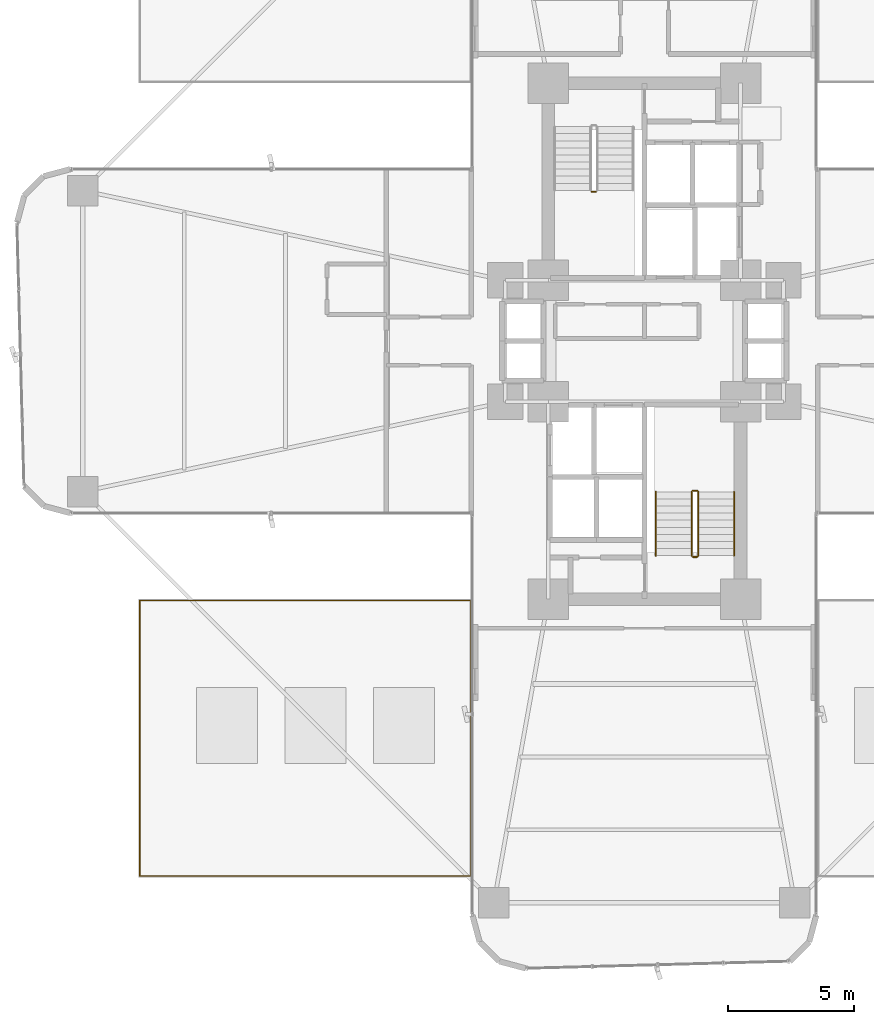
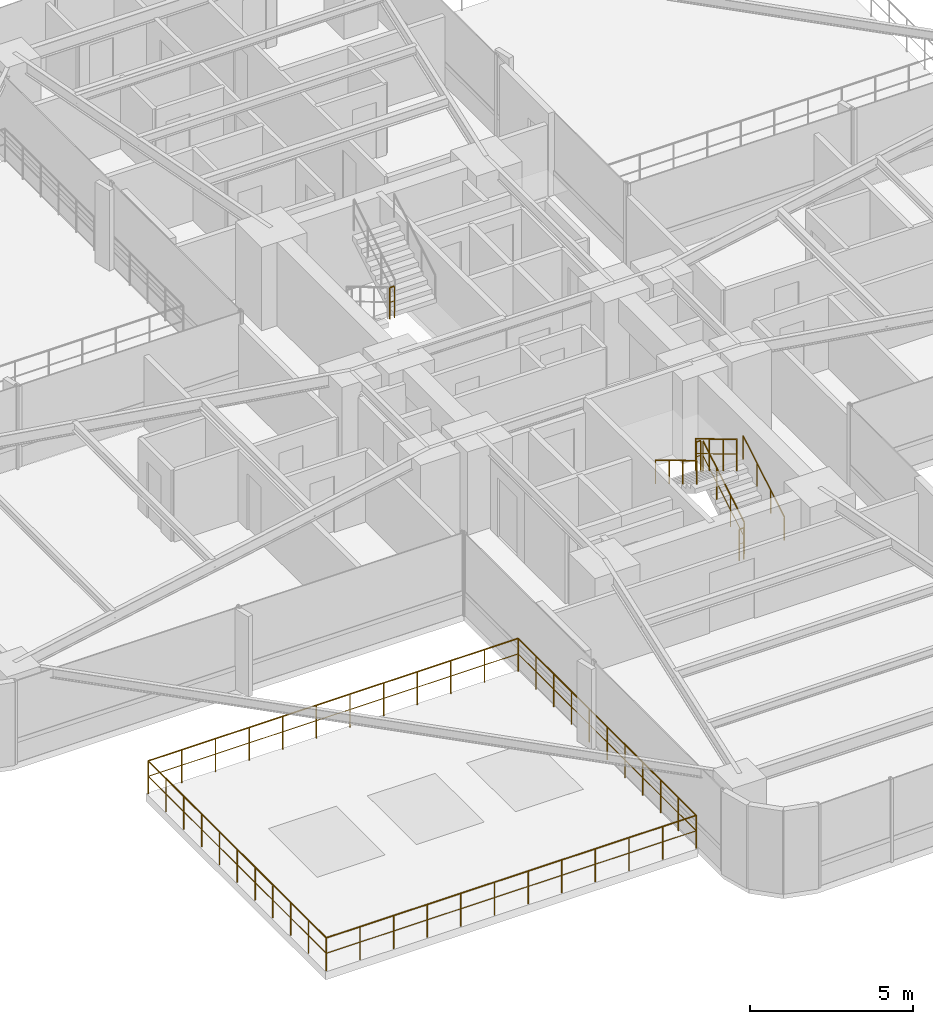
# One storey, part 25 of 27: 8 railings.
"""IFC4 building model written with IfcOpenShell, lengths in metres."""

from ifc_helpers import new_model, si_unit, direction, frame, origin, origin_2d, place, context, subcontext, project, spatial, circle, extrude, material, type_object, element, save


model = new_model("IFC4")

# Units and contexts
model_context = context("Model", 3, precision=1e-05, world=origin(), true_north=direction((0.0, 1.0)))
body_context = subcontext(model_context, "Body", "Model", "MODEL_VIEW")
ifc_project = project(units=[si_unit("LENGTHUNIT", "METRE"), si_unit("AREAUNIT", "SQUARE_METRE"), si_unit("VOLUMEUNIT", "CUBIC_METRE"), si_unit("PLANEANGLEUNIT", "RADIAN"), si_unit("MASSUNIT", "GRAM", prefix="KILO")], contexts=[model_context])

# Site, building, storey
site_placement = place(None, origin())
site = spatial("IfcSite", under=ifc_project, at=site_placement, CompositionType="ELEMENT")
building_placement = place(site_placement, origin())
building = spatial("IfcBuilding", under=site, at=building_placement, Name="Sahyath Konkavel Grand Hotel", CompositionType="ELEMENT")
storey_placement = place(building_placement, frame((0.0, 0.0, 23.10009765625)))
storey = spatial("IfcBuildingStorey", under=building, at=storey_placement, Name="L05", CompositionType="ELEMENT", Elevation=23.10009765625)

# Railings
ifc_material_1 = material(Name="Steel E350", Category="steel")
railing_type_1 = type_object("IfcRailingType", Name="RLG-STAIR-GRD", PredefinedType="GUARDRAIL", material=ifc_material_1)
railing_1_placement = place(storey_placement, frame((-2.080078125, 5.909912109375, 1.6748046875)))
element("IfcRailing", 1, at=railing_1_placement, inside=storey, type_object=railing_type_1, Name="L05 ST-1 stair guard 2", PredefinedType="GUARDRAIL", context=body_context, shape_type="SweptSolid", body=[
    extrude(circle(Radius=0.02392578125, at=origin_2d()), frame((0.001953125, 0.0, 1.17578125), z_axis=(1.0, 0.0, 0.0), x_axis=(0.0, 1.0, 0.0)), (0.0, 0.0, 1.0), 0.15625),
    extrude(circle(Radius=0.01416015625, at=origin_2d()), frame((0.001953125, 0.0, 0.6240234375), z_axis=(1.0, 0.0, 0.0), x_axis=(0.0, 1.0, 0.0)), (0.0, 0.0, 1.0), 0.15625),
    extrude(circle(Radius=0.02099609375, at=origin_2d()), origin(), (0.0, 0.0, 1.0), 1.15185546875),
    extrude(circle(Radius=0.02099609375, at=origin_2d()), frame((0.16015625, 0.0, 0.0)), (0.0, 0.0, 1.0), 1.15185546875),
])
railing_2_placement = place(storey_placement, frame((2.1298828125, -8.47998046875, 0.16748046875)))
element("IfcRailing", 2, at=railing_2_placement, inside=storey, type_object=railing_type_1, Name="L05 ST-2 stair guard 1", PredefinedType="GUARDRAIL", context=body_context, shape_type="SweptSolid", body=[
    extrude(circle(Radius=0.02392578125, at=origin_2d()), frame((0.0, 0.001708984375, 1.177001953125), z_axis=(0.0, 0.858196387827, 0.513321497621), x_axis=(-1.0, 0.0, 0.0)), (0.0, 0.0, 1.0), 2.932373046875),
    extrude(circle(Radius=0.01416015625, at=origin_2d()), frame((0.0, 0.001708984375, 0.625), z_axis=(0.0, 0.858196387827, 0.513321497621), x_axis=(-1.0, 0.0, 0.0)), (0.0, 0.0, 1.0), 2.932373046875),
    extrude(circle(Radius=0.02099609375, at=origin_2d()), origin(), (0.0, 0.0, 1.0), 1.15185546875),
    extrude(circle(Radius=0.02099609375, at=origin_2d()), frame((0.0, 0.840087890625, 0.50244140625)), (0.0, 0.0, 1.0), 1.15185546875),
    extrude(circle(Radius=0.02099609375, at=origin_2d()), frame((0.0, 1.679931640625, 1.0048828125)), (0.0, 0.0, 1.0), 1.15185546875),
    extrude(circle(Radius=0.02099609375, at=origin_2d()), frame((0.0, 2.52001953125, 1.50732421875)), (0.0, 0.0, 1.0), 1.15185546875),
])
railing_3_placement = place(storey_placement, frame((2.080078125, -5.909912109375, 1.6748046875)))
element("IfcRailing", 3, at=railing_3_placement, inside=storey, type_object=railing_type_1, Name="L05 ST-2 stair guard 2", PredefinedType="GUARDRAIL", context=body_context, shape_type="SweptSolid", body=[
    extrude(circle(Radius=0.02392578125, at=origin_2d()), frame((-0.001953125, 0.0, 1.17578125), z_axis=(-1.0, 0.0, 0.0), x_axis=(0.0, -1.0, 0.0)), (0.0, 0.0, 1.0), 0.15625),
    extrude(circle(Radius=0.01416015625, at=origin_2d()), frame((-0.001953125, 0.0, 0.6240234375), z_axis=(-1.0, 0.0, 0.0), x_axis=(0.0, -1.0, 0.0)), (0.0, 0.0, 1.0), 0.15625),
    extrude(circle(Radius=0.02099609375, at=origin_2d()), origin(), (0.0, 0.0, 1.0), 1.15185546875),
    extrude(circle(Radius=0.02099609375, at=origin_2d()), frame((-0.16015625, 0.0, 0.0)), (0.0, 0.0, 1.0), 1.15185546875),
])
railing_4_placement = place(storey_placement, frame((1.8701171875, -5.9599609375, 1.84228515625)))
element("IfcRailing", 4, at=railing_4_placement, inside=storey, type_object=railing_type_1, Name="L05 ST-2 stair guard 3", PredefinedType="GUARDRAIL", context=body_context, shape_type="SweptSolid", body=[
    extrude(circle(Radius=0.02392578125, at=origin_2d()), frame((0.0, -0.001708984375, 1.177001953125), z_axis=(0.0, -0.858159760407, 0.513382728203), x_axis=(1.0, 0.0, 0.0)), (0.0, 0.0, 1.0), 2.9326171875),
    extrude(circle(Radius=0.01416015625, at=origin_2d()), frame((0.0, -0.001708984375, 0.625), z_axis=(0.0, -0.858159760407, 0.513382728203), x_axis=(1.0, 0.0, 0.0)), (0.0, 0.0, 1.0), 2.9326171875),
    extrude(circle(Radius=0.02099609375, at=origin_2d()), origin(), (0.0, 0.0, 1.0), 1.15185546875),
    extrude(circle(Radius=0.02099609375, at=origin_2d()), frame((0.0, -0.840087890625, 0.50244140625)), (0.0, 0.0, 1.0), 1.15185546875),
    extrude(circle(Radius=0.02099609375, at=origin_2d()), frame((0.0, -1.679931640625, 1.005126953125)), (0.0, 0.0, 1.0), 1.15185546875),
    extrude(circle(Radius=0.02099609375, at=origin_2d()), frame((0.0, -2.52001953125, 1.507568359375)), (0.0, 0.0, 1.0), 1.15185546875),
])
railing_5_placement = place(storey_placement, frame((2.080078125, -8.530029296875, 0.0)))
element("IfcRailing", 5, at=railing_5_placement, inside=storey, type_object=railing_type_1, Name="L05 ST-2 stair guard 4", PredefinedType="GUARDRAIL", context=body_context, shape_type="SweptSolid", body=[
    extrude(circle(Radius=0.02392578125, at=origin_2d()), frame((-0.001953125, 0.0, 1.17578125), z_axis=(-1.0, 0.0, 0.0), x_axis=(0.0, -1.0, 0.0)), (0.0, 0.0, 1.0), 0.15625),
    extrude(circle(Radius=0.01416015625, at=origin_2d()), frame((-0.001953125, 0.0, 0.6240234375), z_axis=(-1.0, 0.0, 0.0), x_axis=(0.0, -1.0, 0.0)), (0.0, 0.0, 1.0), 0.15625),
    extrude(circle(Radius=0.02099609375, at=origin_2d()), origin(), (0.0, 0.0, 1.0), 1.15185546875),
    extrude(circle(Radius=0.02099609375, at=origin_2d()), frame((-0.16015625, 0.0, 0.0)), (0.0, 0.0, 1.0), 1.15185546875),
])
ifc_material_2 = material(Name="Anodised Bronze Aluminium", Category="aluminium")
railing_type_2 = type_object("IfcRailingType", Name="RLG-STAIR-HND", PredefinedType="HANDRAIL", material=ifc_material_2)
railing_6_placement = place(storey_placement, frame((3.550048828125, -8.47998046875, 0.16748046875)))
element("IfcRailing", 6, at=railing_6_placement, inside=storey, type_object=railing_type_2, Name="L05 ST-2 stair handrail 1", PredefinedType="HANDRAIL", context=body_context, shape_type="SweptSolid", body=[
    extrude(circle(Radius=0.02392578125, at=origin_2d()), frame((0.0, 0.001708984375, 0.876953125), z_axis=(0.0, 0.858196387827, 0.513321497621), x_axis=(-1.0, 0.0, 0.0)), (0.0, 0.0, 1.0), 2.932373046875),
    extrude(circle(Radius=0.02099609375, at=origin_2d()), origin(), (0.0, 0.0, 1.0), 0.851806640625),
    extrude(circle(Radius=0.02099609375, at=origin_2d()), frame((0.0, 0.840087890625, 0.50244140625)), (0.0, 0.0, 1.0), 0.851806640625),
    extrude(circle(Radius=0.02099609375, at=origin_2d()), frame((0.0, 1.679931640625, 1.0048828125)), (0.0, 0.0, 1.0), 0.851806640625),
    extrude(circle(Radius=0.02099609375, at=origin_2d()), frame((0.0, 2.52001953125, 1.50732421875)), (0.0, 0.0, 1.0), 0.851806640625),
])
railing_7_placement = place(storey_placement, frame((0.449951171875, -5.9599609375, 1.84228515625)))
element("IfcRailing", 7, at=railing_7_placement, inside=storey, type_object=railing_type_2, Name="L05 ST-2 stair handrail 2", PredefinedType="HANDRAIL", context=body_context, shape_type="SweptSolid", body=[
    extrude(circle(Radius=0.02392578125, at=origin_2d()), frame((0.0, -0.001708984375, 0.876953125), z_axis=(0.0, -0.858159760407, 0.513382728203), x_axis=(1.0, 0.0, 0.0)), (0.0, 0.0, 1.0), 2.9326171875),
    extrude(circle(Radius=0.02099609375, at=origin_2d()), origin(), (0.0, 0.0, 1.0), 0.851806640625),
    extrude(circle(Radius=0.02099609375, at=origin_2d()), frame((0.0, -0.840087890625, 0.50244140625)), (0.0, 0.0, 1.0), 0.851806640625),
    extrude(circle(Radius=0.02099609375, at=origin_2d()), frame((0.0, -1.679931640625, 1.005126953125)), (0.0, 0.0, 1.0), 0.851806640625),
    extrude(circle(Radius=0.02099609375, at=origin_2d()), frame((0.0, -2.52001953125, 1.507568359375)), (0.0, 0.0, 1.0), 0.851806640625),
])
ifc_material_3 = material(Name="Warm Buff Sandstone & Bronze Balustrade", Category="masonry")
railing_type_3 = type_object("IfcRailingType", Name="RLG-TERR-1250", PredefinedType="BALUSTRADE", material=ifc_material_3)
railing_8_placement = place(storey_placement, frame((-19.949951171875, -21.14990234375, 0.0)))
element("IfcRailing", 8, at=railing_8_placement, inside=storey, type_object=railing_type_3, Name="Podium Roof Terrace Guard SW", PredefinedType="BALUSTRADE", context=body_context, shape_type="SweptSolid", body=[
    extrude(circle(Radius=0.02392578125, at=origin_2d()), frame((0.001953125, 0.0, 1.22607421875), z_axis=(1.0, 0.0, 0.0), x_axis=(0.0, 1.0, 0.0)), (0.0, 0.0, 1.0), 13.066162109375),
    extrude(circle(Radius=0.01416015625, at=origin_2d()), frame((0.001953125, 0.0, 0.64990234375), z_axis=(1.0, 0.0, 0.0), x_axis=(0.0, 1.0, 0.0)), (0.0, 0.0, 1.0), 13.066162109375),
    extrude(circle(Radius=0.02392578125, at=origin_2d()), frame((13.070068359375, 0.001953125, 1.22607421875), z_axis=(0.0, 1.0, 0.0), x_axis=(-1.0, 0.0, 0.0)), (0.0, 0.0, 1.0), 10.89599609375),
    extrude(circle(Radius=0.01416015625, at=origin_2d()), frame((13.070068359375, 0.001953125, 0.64990234375), z_axis=(0.0, 1.0, 0.0), x_axis=(-1.0, 0.0, 0.0)), (0.0, 0.0, 1.0), 10.89599609375),
    extrude(circle(Radius=0.02392578125, at=origin_2d()), frame((13.068115234375, 10.89990234375, 1.22607421875), z_axis=(-1.0, 0.0, 0.0), x_axis=(0.0, -1.0, 0.0)), (0.0, 0.0, 1.0), 13.066162109375),
    extrude(circle(Radius=0.01416015625, at=origin_2d()), frame((13.068115234375, 10.89990234375, 0.64990234375), z_axis=(-1.0, 0.0, 0.0), x_axis=(0.0, -1.0, 0.0)), (0.0, 0.0, 1.0), 13.066162109375),
    extrude(circle(Radius=0.02392578125, at=origin_2d()), frame((0.0, 10.89794921875, 1.22607421875), z_axis=(0.0, -1.0, 0.0), x_axis=(1.0, 0.0, 0.0)), (0.0, 0.0, 1.0), 10.89599609375),
    extrude(circle(Radius=0.01416015625, at=origin_2d()), frame((0.0, 10.89794921875, 0.64990234375), z_axis=(0.0, -1.0, 0.0), x_axis=(1.0, 0.0, 0.0)), (0.0, 0.0, 1.0), 10.89599609375),
    extrude(circle(Radius=0.02099609375, at=origin_2d()), origin(), (0.0, 0.0, 1.0), 1.201904296875),
    extrude(circle(Radius=0.02099609375, at=origin_2d()), frame((1.188232421875, 0.0, 0.0)), (0.0, 0.0, 1.0), 1.201904296875),
    extrude(circle(Radius=0.02099609375, at=origin_2d()), frame((2.37646484375, 0.0, 0.0)), (0.0, 0.0, 1.0), 1.201904296875),
    extrude(circle(Radius=0.02099609375, at=origin_2d()), frame((3.564453125, 0.0, 0.0)), (0.0, 0.0, 1.0), 1.201904296875),
    extrude(circle(Radius=0.02099609375, at=origin_2d()), frame((4.752685546875, 0.0, 0.0)), (0.0, 0.0, 1.0), 1.201904296875),
    extrude(circle(Radius=0.02099609375, at=origin_2d()), frame((5.94091796875, 0.0, 0.0)), (0.0, 0.0, 1.0), 1.201904296875),
    extrude(circle(Radius=0.02099609375, at=origin_2d()), frame((7.129150390625, 0.0, 0.0)), (0.0, 0.0, 1.0), 1.201904296875),
    extrude(circle(Radius=0.02099609375, at=origin_2d()), frame((8.3173828125, 0.0, 0.0)), (0.0, 0.0, 1.0), 1.201904296875),
    extrude(circle(Radius=0.02099609375, at=origin_2d()), frame((9.505615234375, 0.0, 0.0)), (0.0, 0.0, 1.0), 1.201904296875),
    extrude(circle(Radius=0.02099609375, at=origin_2d()), frame((10.693603515625, 0.0, 0.0)), (0.0, 0.0, 1.0), 1.201904296875),
    extrude(circle(Radius=0.02099609375, at=origin_2d()), frame((11.8818359375, 0.0, 0.0)), (0.0, 0.0, 1.0), 1.201904296875),
    extrude(circle(Radius=0.02099609375, at=origin_2d()), frame((13.070068359375, 0.0, 0.0)), (0.0, 0.0, 1.0), 1.201904296875),
    extrude(circle(Radius=0.02099609375, at=origin_2d()), frame((13.070068359375, 1.090087890625, 0.0)), (0.0, 0.0, 1.0), 1.201904296875),
    extrude(circle(Radius=0.02099609375, at=origin_2d()), frame((13.070068359375, 2.179931640625, 0.0)), (0.0, 0.0, 1.0), 1.201904296875),
    extrude(circle(Radius=0.02099609375, at=origin_2d()), frame((13.070068359375, 3.27001953125, 0.0)), (0.0, 0.0, 1.0), 1.201904296875),
    extrude(circle(Radius=0.02099609375, at=origin_2d()), frame((13.070068359375, 4.35986328125, 0.0)), (0.0, 0.0, 1.0), 1.201904296875),
    extrude(circle(Radius=0.02099609375, at=origin_2d()), frame((13.070068359375, 5.449951171875, 0.0)), (0.0, 0.0, 1.0), 1.201904296875),
    extrude(circle(Radius=0.02099609375, at=origin_2d()), frame((13.070068359375, 6.5400390625, 0.0)), (0.0, 0.0, 1.0), 1.201904296875),
    extrude(circle(Radius=0.02099609375, at=origin_2d()), frame((13.070068359375, 7.6298828125, 0.0)), (0.0, 0.0, 1.0), 1.201904296875),
    extrude(circle(Radius=0.02099609375, at=origin_2d()), frame((13.070068359375, 8.719970703125, 0.0)), (0.0, 0.0, 1.0), 1.201904296875),
    extrude(circle(Radius=0.02099609375, at=origin_2d()), frame((13.070068359375, 9.809814453125, 0.0)), (0.0, 0.0, 1.0), 1.201904296875),
    extrude(circle(Radius=0.02099609375, at=origin_2d()), frame((13.070068359375, 10.89990234375, 0.0)), (0.0, 0.0, 1.0), 1.201904296875),
    extrude(circle(Radius=0.02099609375, at=origin_2d()), frame((11.8818359375, 10.89990234375, 0.0)), (0.0, 0.0, 1.0), 1.201904296875),
    extrude(circle(Radius=0.02099609375, at=origin_2d()), frame((10.693603515625, 10.89990234375, 0.0)), (0.0, 0.0, 1.0), 1.201904296875),
    extrude(circle(Radius=0.02099609375, at=origin_2d()), frame((9.505615234375, 10.89990234375, 0.0)), (0.0, 0.0, 1.0), 1.201904296875),
    extrude(circle(Radius=0.02099609375, at=origin_2d()), frame((8.3173828125, 10.89990234375, 0.0)), (0.0, 0.0, 1.0), 1.201904296875),
    extrude(circle(Radius=0.02099609375, at=origin_2d()), frame((7.129150390625, 10.89990234375, 0.0)), (0.0, 0.0, 1.0), 1.201904296875),
    extrude(circle(Radius=0.02099609375, at=origin_2d()), frame((5.94091796875, 10.89990234375, 0.0)), (0.0, 0.0, 1.0), 1.201904296875),
    extrude(circle(Radius=0.02099609375, at=origin_2d()), frame((4.752685546875, 10.89990234375, 0.0)), (0.0, 0.0, 1.0), 1.201904296875),
    extrude(circle(Radius=0.02099609375, at=origin_2d()), frame((3.564453125, 10.89990234375, 0.0)), (0.0, 0.0, 1.0), 1.201904296875),
    extrude(circle(Radius=0.02099609375, at=origin_2d()), frame((2.37646484375, 10.89990234375, 0.0)), (0.0, 0.0, 1.0), 1.201904296875),
    extrude(circle(Radius=0.02099609375, at=origin_2d()), frame((1.188232421875, 10.89990234375, 0.0)), (0.0, 0.0, 1.0), 1.201904296875),
    extrude(circle(Radius=0.02099609375, at=origin_2d()), frame((0.0, 10.89990234375, 0.0)), (0.0, 0.0, 1.0), 1.201904296875),
    extrude(circle(Radius=0.02099609375, at=origin_2d()), frame((0.0, 9.809814453125, 0.0)), (0.0, 0.0, 1.0), 1.201904296875),
    extrude(circle(Radius=0.02099609375, at=origin_2d()), frame((0.0, 8.719970703125, 0.0)), (0.0, 0.0, 1.0), 1.201904296875),
    extrude(circle(Radius=0.02099609375, at=origin_2d()), frame((0.0, 7.6298828125, 0.0)), (0.0, 0.0, 1.0), 1.201904296875),
    extrude(circle(Radius=0.02099609375, at=origin_2d()), frame((0.0, 6.5400390625, 0.0)), (0.0, 0.0, 1.0), 1.201904296875),
    extrude(circle(Radius=0.02099609375, at=origin_2d()), frame((0.0, 5.449951171875, 0.0)), (0.0, 0.0, 1.0), 1.201904296875),
    extrude(circle(Radius=0.02099609375, at=origin_2d()), frame((0.0, 4.35986328125, 0.0)), (0.0, 0.0, 1.0), 1.201904296875),
    extrude(circle(Radius=0.02099609375, at=origin_2d()), frame((0.0, 3.27001953125, 0.0)), (0.0, 0.0, 1.0), 1.201904296875),
    extrude(circle(Radius=0.02099609375, at=origin_2d()), frame((0.0, 2.179931640625, 0.0)), (0.0, 0.0, 1.0), 1.201904296875),
    extrude(circle(Radius=0.02099609375, at=origin_2d()), frame((0.0, 1.090087890625, 0.0)), (0.0, 0.0, 1.0), 1.201904296875),
])

save(model, "model.ifc")
